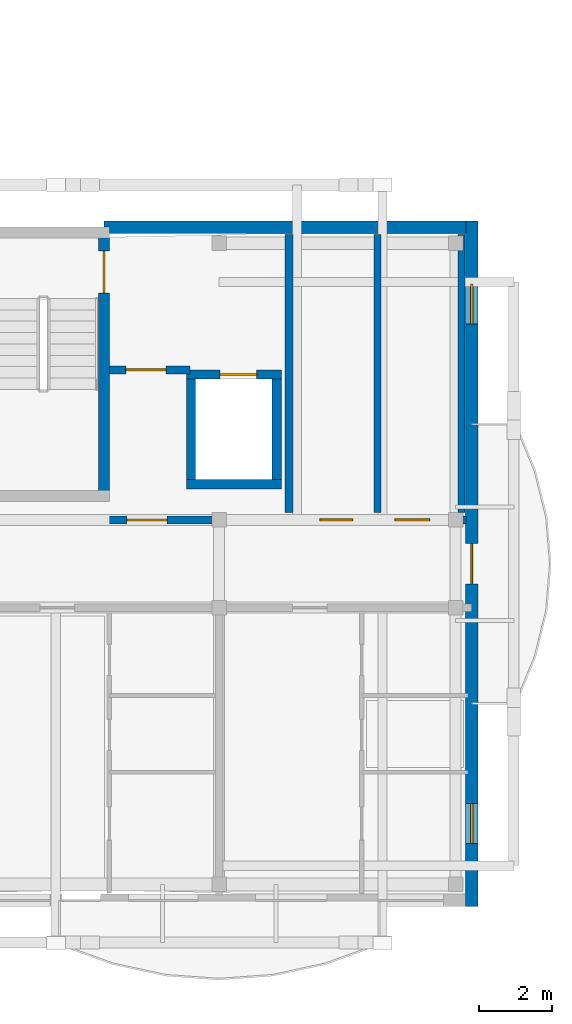
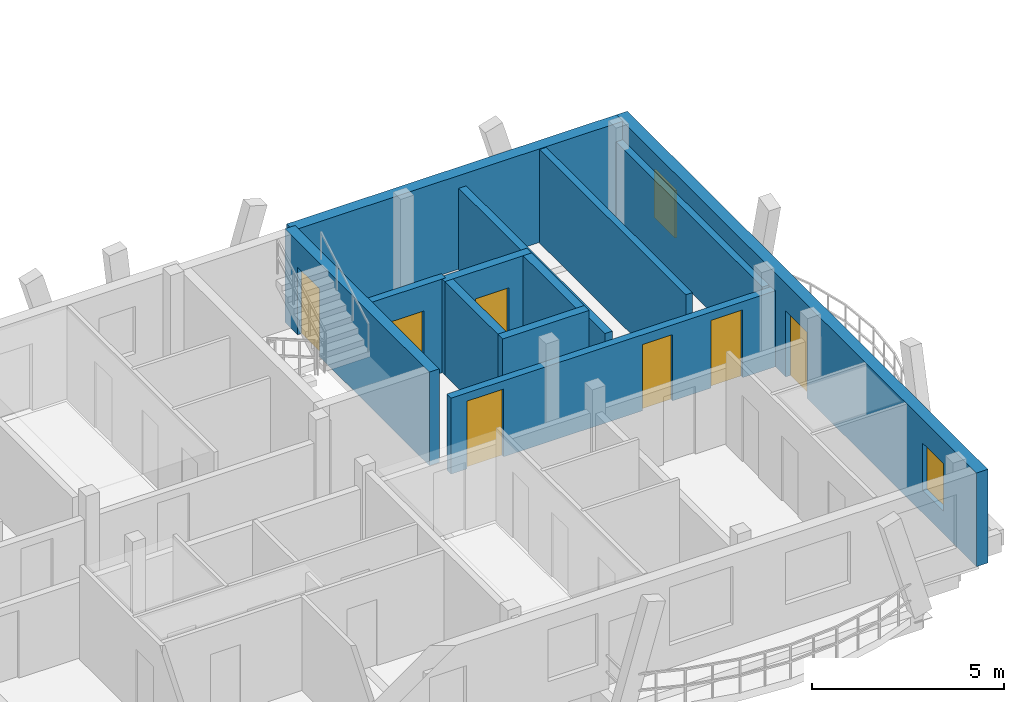
# One storey, part 9 of 18: 12 walls, 7 doors, 2 windows, 9 openings.
"""IFC4 building model written with IfcOpenShell, lengths in metres."""

from ifc_helpers import new_model, si_unit, direction, frame, frame_2d, origin, origin_with_axes, place, context, subcontext, project, spatial, rectangle, extrude, material, layer, layer_set, type_object, element, fill, save


model = new_model("IFC4")

# Units and contexts
model_context = context("Model", 3, precision=1e-05, world=origin(), true_north=direction((0.0, 1.0)))
body_context = subcontext(model_context, "Body", "Model", "MODEL_VIEW")
ifc_project = project(units=[si_unit("LENGTHUNIT", "METRE"), si_unit("AREAUNIT", "SQUARE_METRE"), si_unit("VOLUMEUNIT", "CUBIC_METRE"), si_unit("PLANEANGLEUNIT", "RADIAN"), si_unit("MASSUNIT", "GRAM", prefix="KILO")], contexts=[model_context])

# Site, building, storey
site_placement = place(None, origin())
site = spatial("IfcSite", under=ifc_project, at=site_placement, CompositionType="ELEMENT")
building_placement = place(site_placement, origin())
building = spatial("IfcBuilding", under=site, at=building_placement, Name="Zavelmont Quarter", CompositionType="ELEMENT")
storey_placement = place(building_placement, frame((0.0, 0.0, 40.0)))
storey = spatial("IfcBuildingStorey", under=building, at=storey_placement, Name="L12", CompositionType="ELEMENT", Elevation=40.0)

# Wall
ifc_material_1 = material(Name="Natural Belgian limestone", Category="masonry")
ifc_layer_1 = layer(ifc_material_1, 0.340087890625)
ifc_layer_set_1 = layer_set([ifc_layer_1], Name="Natural Belgian limestone")
wall_type_1 = type_object("IfcWallType", Name="EW03", PredefinedType="STANDARD", material=ifc_layer_set_1)
wall_1_placement = place(storey_placement, frame((31.35009765625, 18.39990234375, 0.0), z_axis=(0.0, 0.0, 1.0), x_axis=(1.0, 0.0, 0.0)))
element("IfcWall", 1, at=wall_1_placement, inside=storey, type_object=wall_type_1, Name="L12 exterior limestone wall EW03", PredefinedType="STANDARD", context=body_context, shape_type="SweptSolid", body=[
    extrude(rectangle(XDim=9.889892578125, YDim=0.340087890625, at=frame_2d((4.94482421875, 0.0))), origin(), (0.0, 0.0, 1.0), 2.969970703125),
])

# Wall, openings, door, windows
wall_2_placement = place(storey_placement, frame((41.39990234375, -0.169921875, 0.0), z_axis=(0.0, 0.0, 1.0), x_axis=(0.0, 1.0, 0.0)))
wall_2 = element("IfcWall", 2, at=wall_2_placement, inside=storey, type_object=wall_type_1, Name="L12 exterior limestone wall EW03", PredefinedType="STANDARD", context=body_context, shape_type="SweptSolid", body=[
    extrude(rectangle(XDim=18.739990234375, YDim=0.340087890625, at=frame_2d((9.3701171875, 0.0))), origin(), (0.0, 0.0, 1.0), 2.969970703125),
])
opening_1_placement = place(wall_2_placement, frame((8.820068359375, 0.0, 0.0)))
opening_1 = element("IfcOpeningElement", 3, at=opening_1_placement, cuts=wall_2, Name="Opening DR04B", PredefinedType="OPENING", context=body_context, shape_type="SweptSolid", body=[
    extrude(rectangle(XDim=1.10009765625, YDim=2.10009765625, at=frame_2d((0.550048828125, 1.050048828125))), frame((0.0, 0.18212890625, 0.0), z_axis=(0.0, -1.0, 0.0), x_axis=(1.0, 0.0, 0.0)), (0.0, 0.0, 1.0), 0.364013671875),
])
opening_2_placement = place(wall_2_placement, frame((1.719970703125, 0.0, 0.719970703125)))
opening_2 = element("IfcOpeningElement", 4, at=opening_2_placement, cuts=wall_2, Name="Opening WN09", PredefinedType="OPENING", context=body_context, shape_type="SweptSolid", body=[
    extrude(rectangle(XDim=1.10009765625, YDim=1.5, at=frame_2d((0.550048828125, 0.75))), frame((0.0, 0.18212890625, 0.0), z_axis=(0.0, -1.0, 0.0), x_axis=(1.0, 0.0, 0.0)), (0.0, 0.0, 1.0), 0.364013671875),
])
opening_3_placement = place(wall_2_placement, frame((15.919921875, 0.0, 0.719970703125)))
opening_3 = element("IfcOpeningElement", 5, at=opening_3_placement, cuts=wall_2, Name="Opening WN09", PredefinedType="OPENING", context=body_context, shape_type="SweptSolid", body=[
    extrude(rectangle(XDim=1.10009765625, YDim=1.5, at=frame_2d((0.550048828125, 0.75))), frame((0.0, 0.18212890625, 0.0), z_axis=(0.0, -1.0, 0.0), x_axis=(1.0, 0.0, 0.0)), (0.0, 0.0, 1.0), 0.364013671875),
])
ifc_material_2 = material(Name="Thermally broken aluminium and double safety glass", Category="aluminium")
door_type_1 = type_object("IfcDoorType", Name="DR04B", OperationType="NOTDEFINED", PredefinedType="DOOR", material=ifc_material_2)
door_1_placement = place(opening_1_placement, origin_with_axes())
door_1 = element("IfcDoor", 6, at=door_1_placement, inside=storey, type_object=door_type_1, Name="Block A L12 terrace or vase balcony door", OperationType="SINGLE_SWING_RIGHT", OverallHeight=2.10009765625, OverallWidth=1.10009765625, PredefinedType="DOOR", context=body_context, shape_type="SweptSolid", body=[
    extrude(rectangle(XDim=1.10009765625, YDim=2.10009765625, at=frame_2d((0.550048828125, 1.050048828125))), frame((0.0, 0.02490234375, 0.0), z_axis=(0.0, -1.0, 0.0), x_axis=(1.0, 0.0, 0.0)), (0.0, 0.0, 1.0), 0.050048828125),
])
fill(opening_1, door_1)
ifc_material_3 = material(Name="Double low-E insulated glazing in thermally broken aluminium frame", Category="aluminium")
window_type = type_object("IfcWindowType", Name="WN09", PartitioningType="SINGLE_PANEL", PredefinedType="WINDOW", material=ifc_material_3)
window_1_placement = place(opening_2_placement, origin_with_axes())
window_1 = element("IfcWindow", 7, at=window_1_placement, inside=storey, type_object=window_type, Name="L12 window WN09", OverallHeight=1.5, OverallWidth=1.10009765625, PartitioningType="SINGLE_PANEL", PredefinedType="WINDOW", context=body_context, shape_type="SweptSolid", body=[
    extrude(rectangle(XDim=1.10009765625, YDim=1.5, at=frame_2d((0.550048828125, 0.75))), frame((0.0, 0.030029296875, 0.0), z_axis=(0.0, -1.0, 0.0), x_axis=(1.0, 0.0, 0.0)), (0.0, 0.0, 1.0), 0.06005859375),
])
fill(opening_2, window_1)
window_2_placement = place(opening_3_placement, origin_with_axes())
window_2 = element("IfcWindow", 8, at=window_2_placement, inside=storey, type_object=window_type, Name="L12 window WN09", OverallHeight=1.5, OverallWidth=1.10009765625, PartitioningType="SINGLE_PANEL", PredefinedType="WINDOW", context=body_context, shape_type="SweptSolid", body=[
    extrude(rectangle(XDim=1.10009765625, YDim=1.5, at=frame_2d((0.550048828125, 0.75))), frame((0.0, 0.030029296875, 0.0), z_axis=(0.0, -1.0, 0.0), x_axis=(1.0, 0.0, 0.0)), (0.0, 0.0, 1.0), 0.06005859375),
])
fill(opening_3, window_2)

# Walls
ifc_material_4 = material(Name="Calcium-silicate blockwork and acoustic plaster", Category="masonry")
ifc_layer_2 = layer(ifc_material_4, 0.199951171875)
ifc_layer_set_2 = layer_set([ifc_layer_2], Name="Calcium-silicate blockwork and acoustic plaster")
wall_type_2 = type_object("IfcWallType", Name="IW01", PredefinedType="PARTITIONING", material=ifc_layer_set_2)
wall_3_placement = place(storey_placement, frame((38.824951171875, 10.60009765625, 0.0), z_axis=(0.0, 0.0, 1.0), x_axis=(0.0, 1.0, 0.0)))
element("IfcWall", 9, at=wall_3_placement, inside=storey, type_object=wall_type_2, Name="L12 Service riser divider wall IW01", PredefinedType="PARTITIONING", context=body_context, shape_type="SweptSolid", body=[
    extrude(rectangle(XDim=7.599853515625, YDim=0.199951171875, at=frame_2d((3.7998046875, 0.0))), origin(), (0.0, 0.0, 1.0), 2.969970703125),
])
wall_4_placement = place(storey_placement, frame((41.1201171875, 10.60009765625, 0.0), z_axis=(0.0, 0.0, 1.0), x_axis=(0.0, 1.0, 0.0)))
element("IfcWall", 10, at=wall_4_placement, inside=storey, type_object=wall_type_2, Name="L12 Core service end wall IW01", PredefinedType="PARTITIONING", context=body_context, shape_type="SweptSolid", body=[
    extrude(rectangle(XDim=7.599853515625, YDim=0.199951171875, at=frame_2d((3.7998046875, 0.0))), origin(), (0.0, 0.0, 1.0), 2.409912109375),
])
ifc_material_5 = material(Name="Reinforced masonry fire compartment wall", Category="masonry")
ifc_layer_3 = layer(ifc_material_5, 0.22509765625)
ifc_layer_set_3 = layer_set([ifc_layer_3], Name="Reinforced masonry fire compartment wall")
wall_type_3 = type_object("IfcWallType", Name="IW02", PredefinedType="PARTITIONING", material=ifc_layer_set_3)
wall_5_placement = place(storey_placement, frame((36.409912109375, 10.60009765625, 0.0), z_axis=(0.0, 0.0, 1.0), x_axis=(0.0, 1.0, 0.0)))
element("IfcWall", 11, at=wall_5_placement, inside=storey, type_object=wall_type_3, Name="L12 Firefighting lobby enclosure wall IW02", PredefinedType="PARTITIONING", context=body_context, shape_type="SweptSolid", body=[
    extrude(rectangle(XDim=7.599853515625, YDim=0.22509765625, at=frame_2d((3.7998046875, 0.0))), origin(), (0.0, 0.0, 1.0), 2.590087890625),
])

# Wall, opening, door
wall_6_placement = place(storey_placement, frame((31.5, 14.5, 0.0), z_axis=(0.0, 0.0, 1.0), x_axis=(1.0, 0.0, 0.0)))
wall_6 = element("IfcWall", 12, at=wall_6_placement, inside=storey, type_object=wall_type_3, Name="L12 Firefighting lobby threshold wall IW02", PredefinedType="PARTITIONING", context=body_context, shape_type="SweptSolid", body=[
    extrude(rectangle(XDim=2.199951171875, YDim=0.22509765625, at=frame_2d((1.10009765625, 0.0))), origin(), (0.0, 0.0, 1.0), 2.969970703125),
])
opening_4_placement = place(wall_6_placement, frame((0.449951171875, 0.0, 0.0)))
opening_4 = element("IfcOpeningElement", 13, at=opening_4_placement, cuts=wall_6, Name="Opening DR10", PredefinedType="OPENING", context=body_context, shape_type="SweptSolid", body=[
    extrude(rectangle(XDim=1.10009765625, YDim=2.14990234375, at=frame_2d((0.550048828125, 1.074951171875))), frame((0.0, 0.12451171875, 0.0), z_axis=(0.0, -1.0, 0.0), x_axis=(1.0, 0.0, 0.0)), (0.0, 0.0, 1.0), 0.2490234375),
])
ifc_material_6 = material(Name="Painted steel lobby fire door", Category="steel")
door_type_2 = type_object("IfcDoorType", Name="DR10", OperationType="NOTDEFINED", PredefinedType="DOOR", material=ifc_material_6)
door_2_placement = place(opening_4_placement, origin_with_axes())
door_2 = element("IfcDoor", 14, at=door_2_placement, inside=storey, type_object=door_type_2, Name="Firefighting lobby fire door", OperationType="SINGLE_SWING_LEFT", OverallHeight=2.14990234375, OverallWidth=1.10009765625, PredefinedType="DOOR", context=body_context, shape_type="SweptSolid", body=[
    extrude(rectangle(XDim=1.10009765625, YDim=2.14990234375, at=frame_2d((0.550048828125, 1.074951171875))), frame((0.0, 0.02490234375, 0.0), z_axis=(0.0, -1.0, 0.0), x_axis=(1.0, 0.0, 0.0)), (0.0, 0.0, 1.0), 0.050048828125),
])
fill(opening_4, door_2)

# Wall, openings, doors
wall_7_placement = place(storey_placement, frame((31.5, 10.39990234375, 0.0), z_axis=(0.0, 0.0, 1.0), x_axis=(1.0, 0.0, 0.0)))
wall_7 = element("IfcWall", 15, at=wall_7_placement, inside=storey, type_object=wall_type_3, Name="L12 Core corridor fire wall IW02", PredefinedType="PARTITIONING", context=body_context, shape_type="SweptSolid", body=[
    extrude(rectangle(XDim=9.75, YDim=0.22509765625, at=frame_2d((4.875, 0.0))), origin(), (0.0, 0.0, 1.0), 2.409912109375),
])
opening_5_placement = place(wall_7_placement, frame((0.47509765625, 0.0, 0.0)))
opening_5 = element("IfcOpeningElement", 16, at=opening_5_placement, cuts=wall_7, Name="Opening DR10", PredefinedType="OPENING", context=body_context, shape_type="SweptSolid", body=[
    extrude(rectangle(XDim=1.10009765625, YDim=2.14990234375, at=frame_2d((0.550048828125, 1.074951171875))), frame((0.0, 0.12451171875, 0.0), z_axis=(0.0, -1.0, 0.0), x_axis=(1.0, 0.0, 0.0)), (0.0, 0.0, 1.0), 0.2490234375),
])
opening_6_placement = place(wall_7_placement, frame((5.75, 0.0, 0.0)))
opening_6 = element("IfcOpeningElement", 17, at=opening_6_placement, cuts=wall_7, Name="Opening DR11", PredefinedType="OPENING", context=body_context, shape_type="SweptSolid", body=[
    extrude(rectangle(XDim=0.89990234375, YDim=2.10009765625, at=frame_2d((0.449951171875, 1.050048828125))), frame((0.0, 0.12451171875, 0.0), z_axis=(0.0, -1.0, 0.0), x_axis=(1.0, 0.0, 0.0)), (0.0, 0.0, 1.0), 0.2490234375),
])
opening_7_placement = place(wall_7_placement, frame((7.800048828125, 0.0, 0.0)))
opening_7 = element("IfcOpeningElement", 18, at=opening_7_placement, cuts=wall_7, Name="Opening DR02", PredefinedType="OPENING", context=body_context, shape_type="SweptSolid", body=[
    extrude(rectangle(XDim=0.949951171875, YDim=2.14990234375, at=frame_2d((0.47509765625, 1.074951171875))), frame((0.0, 0.12451171875, 0.0), z_axis=(0.0, -1.0, 0.0), x_axis=(1.0, 0.0, 0.0)), (0.0, 0.0, 1.0), 0.2490234375),
])
ifc_material_7 = material(Name="Solid-core oak fire leaf in steel frame", Category="steel")
door_type_3 = type_object("IfcDoorType", Name="DR02", OperationType="NOTDEFINED", PredefinedType="DOOR", material=ifc_material_7)
door_3_placement = place(opening_7_placement, frame((0.949951171875, 0.0, 0.0), z_axis=(0.0, 0.0, 1.0), x_axis=(-1.0, 0.0, 0.0)))
door_3 = element("IfcDoor", 19, at=door_3_placement, inside=storey, type_object=door_type_3, Name="Auxiliary store corridor door", OperationType="SINGLE_SWING_RIGHT", OverallHeight=2.14990234375, OverallWidth=0.949951171875, PredefinedType="DOOR", context=body_context, shape_type="SweptSolid", body=[
    extrude(rectangle(XDim=0.949951171875, YDim=2.14990234375, at=frame_2d((0.47509765625, 1.074951171875))), frame((0.0, 0.02490234375, 0.0), z_axis=(0.0, -1.0, 0.0), x_axis=(1.0, 0.0, 0.0)), (0.0, 0.0, 1.0), 0.050048828125),
])
fill(opening_7, door_3)
door_4_placement = place(opening_5_placement, origin_with_axes())
door_4 = element("IfcDoor", 20, at=door_4_placement, inside=storey, type_object=door_type_2, Name="Core vestibule fire door", OperationType="SINGLE_SWING_RIGHT", OverallHeight=2.14990234375, OverallWidth=1.10009765625, PredefinedType="DOOR", context=body_context, shape_type="SweptSolid", body=[
    extrude(rectangle(XDim=1.10009765625, YDim=2.14990234375, at=frame_2d((0.550048828125, 1.074951171875))), frame((0.0, 0.02490234375, 0.0), z_axis=(0.0, -1.0, 0.0), x_axis=(1.0, 0.0, 0.0)), (0.0, 0.0, 1.0), 0.050048828125),
])
fill(opening_5, door_4)
ifc_material_8 = material(Name="Painted steel service-riser fire door", Category="steel")
door_type_4 = type_object("IfcDoorType", Name="DR11", OperationType="NOTDEFINED", PredefinedType="DOOR", material=ifc_material_8)
door_5_placement = place(opening_6_placement, frame((0.89990234375, 0.0, 0.0), z_axis=(0.0, 0.0, 1.0), x_axis=(-1.0, 0.0, 0.0)))
door_5 = element("IfcDoor", 21, at=door_5_placement, inside=storey, type_object=door_type_4, Name="Service riser fire door", OperationType="SINGLE_SWING_LEFT", OverallHeight=2.10009765625, OverallWidth=0.89990234375, PredefinedType="DOOR", context=body_context, shape_type="SweptSolid", body=[
    extrude(rectangle(XDim=0.89990234375, YDim=2.10009765625, at=frame_2d((0.449951171875, 1.050048828125))), frame((0.0, 0.02490234375, 0.0), z_axis=(0.0, -1.0, 0.0), x_axis=(1.0, 0.0, 0.0)), (0.0, 0.0, 1.0), 0.050048828125),
])
fill(opening_6, door_5)

# Wall, opening, door
ifc_material_9 = material(Name="Concrete C40/50", Category="concrete")
ifc_layer_4 = layer(ifc_material_9, 0.300048828125)
ifc_layer_set_4 = layer_set([ifc_layer_4], Name="Concrete C40/50")
wall_type_4 = type_object("IfcWallType", Name="SW01", PredefinedType="SHEAR", material=ifc_layer_set_4)
wall_8_placement = place(storey_placement, frame((31.35009765625, 10.89990234375, 0.0), z_axis=(0.0, 0.0, 1.0), x_axis=(0.0, 1.0, 0.0)))
wall_8 = element("IfcWall", 22, at=wall_8_placement, inside=storey, type_object=wall_type_4, Name="L12 ST02 lobby shear wall SW01", PredefinedType="SHEAR", context=body_context, shape_type="SweptSolid", body=[
    extrude(rectangle(XDim=7.5, YDim=0.300048828125, at=frame_2d((3.75, 0.0))), origin(), (0.0, 0.0, 1.0), 2.969970703125),
])
opening_8_placement = place(wall_8_placement, frame((5.699951171875, 0.0, 0.0)))
opening_8 = element("IfcOpeningElement", 23, at=opening_8_placement, cuts=wall_8, Name="Opening DR09", PredefinedType="OPENING", context=body_context, shape_type="SweptSolid", body=[
    extrude(rectangle(XDim=1.14990234375, YDim=2.14990234375, at=frame_2d((0.574951171875, 1.074951171875))), frame((0.0, 0.162109375, 0.0), z_axis=(0.0, -1.0, 0.0), x_axis=(1.0, 0.0, 0.0)), (0.0, 0.0, 1.0), 0.323974609375),
])
ifc_material_10 = material(Name="Painted steel stair-core fire door", Category="steel")
door_type_5 = type_object("IfcDoorType", Name="DR09", OperationType="NOTDEFINED", PredefinedType="DOOR", material=ifc_material_10)
door_6_placement = place(opening_8_placement, origin_with_axes())
door_6 = element("IfcDoor", 24, at=door_6_placement, inside=storey, type_object=door_type_5, Name="ST02 protected stair door", OperationType="SINGLE_SWING_LEFT", OverallHeight=2.14990234375, OverallWidth=1.14990234375, PredefinedType="DOOR", context=body_context, shape_type="SweptSolid", body=[
    extrude(rectangle(XDim=1.14990234375, YDim=2.14990234375, at=frame_2d((0.574951171875, 1.074951171875))), frame((0.0, 0.02490234375, 0.0), z_axis=(0.0, -1.0, 0.0), x_axis=(1.0, 0.0, 0.0)), (0.0, 0.0, 1.0), 0.050048828125),
])
fill(opening_8, door_6)

ifc_layer_5 = layer(ifc_material_9, 0.25)
ifc_layer_set_5 = layer_set([ifc_layer_5], Name="Concrete C40/50")
wall_type_5 = type_object("IfcWallType", Name="SW02", PredefinedType="SHEAR", material=ifc_layer_set_5)
wall_9_placement = place(storey_placement, frame((33.60009765625, 14.375, 0.0), z_axis=(0.0, 0.0, 1.0), x_axis=(1.0, 0.0, 0.0)))
wall_9 = element("IfcWall", 25, at=wall_9_placement, inside=storey, type_object=wall_type_5, Name="L12 Lift LF02 landing shaft wall SW02", PredefinedType="SHEAR", context=body_context, shape_type="SweptSolid", body=[
    extrude(rectangle(XDim=2.599853515625, YDim=0.25, at=frame_2d((1.2998046875, 0.0))), origin(), (0.0, 0.0, 1.0), 2.969970703125),
])
opening_9_placement = place(wall_9_placement, frame((0.925048828125, 0.0, 0.0)))
opening_9 = element("IfcOpeningElement", 26, at=opening_9_placement, cuts=wall_9, Name="Opening LD01", PredefinedType="OPENING", context=body_context, shape_type="SweptSolid", body=[
    extrude(rectangle(XDim=1.0, YDim=2.10009765625, at=frame_2d((0.5, 1.050048828125))), frame((0.0, 0.136962890625, 0.0), z_axis=(0.0, -1.0, 0.0), x_axis=(1.0, 0.0, 0.0)), (0.0, 0.0, 1.0), 0.27392578125),
])
ifc_material_11 = material(Name="Brushed stainless-steel automatic sliding landing door", Category="steel")
door_type_6 = type_object("IfcDoorType", Name="LD01", OperationType="SLIDING_TO_LEFT", PredefinedType="DOOR", material=ifc_material_11)
door_7_placement = place(opening_9_placement, origin_with_axes())
door_7 = element("IfcDoor", 27, at=door_7_placement, inside=storey, type_object=door_type_6, Name="Lift LF02 sliding landing door", OperationType="SLIDING_TO_LEFT", OverallHeight=2.10009765625, OverallWidth=1.0, PredefinedType="DOOR", context=body_context, shape_type="SweptSolid", body=[
    extrude(rectangle(XDim=1.0, YDim=2.10009765625, at=frame_2d((0.5, 1.050048828125))), frame((0.0, 0.02490234375, 0.0), z_axis=(0.0, -1.0, 0.0), x_axis=(1.0, 0.0, 0.0)), (0.0, 0.0, 1.0), 0.050048828125),
])
fill(opening_9, door_7)

# Walls
wall_10_placement = place(storey_placement, frame((33.60009765625, 11.375, 0.0), z_axis=(0.0, 0.0, 1.0), x_axis=(1.0, 0.0, 0.0)))
element("IfcWall", 28, at=wall_10_placement, inside=storey, type_object=wall_type_5, Name="L12 Lift LF02 back shaft wall SW02", PredefinedType="SHEAR", context=body_context, shape_type="SweptSolid", body=[
    extrude(rectangle(XDim=2.599853515625, YDim=0.25, at=frame_2d((1.2998046875, 0.0))), origin(), (0.0, 0.0, 1.0), 2.969970703125),
])
for number, where, z_axis, x_axis, name in (
    (29, (33.72509765625, 11.25, 0.0), (0.0, 0.0, 1.0), (0.0, 1.0, 0.0), "L12 Lift LF02 west shaft wall SW02"),
    (30, (36.074951171875, 11.25, 0.0), (0.0, 0.0, 1.0), (0.0, 1.0, 0.0), "L12 Lift LF02 east shaft wall SW02"),
):
    element("IfcWall", number, at=place(storey_placement, frame(where, z_axis=z_axis, x_axis=x_axis)), inside=storey, type_object=wall_type_5, Name=name, PredefinedType="SHEAR", context=body_context, shape_type="SweptSolid", body=[
        extrude(rectangle(XDim=3.25, YDim=0.25, at=frame_2d((1.625, 0.0))), origin(), (0.0, 0.0, 1.0), 2.969970703125),
    ])

save(model, "model.ifc")
